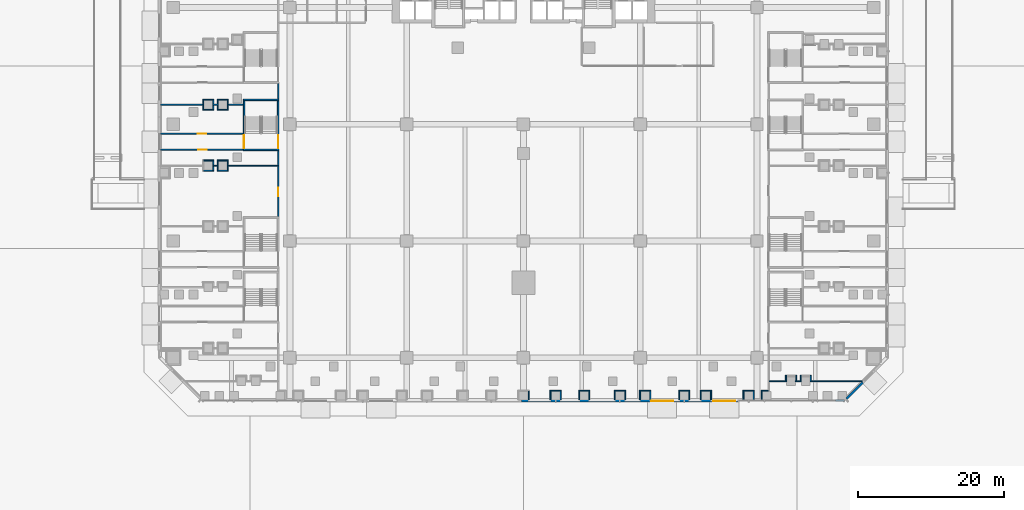
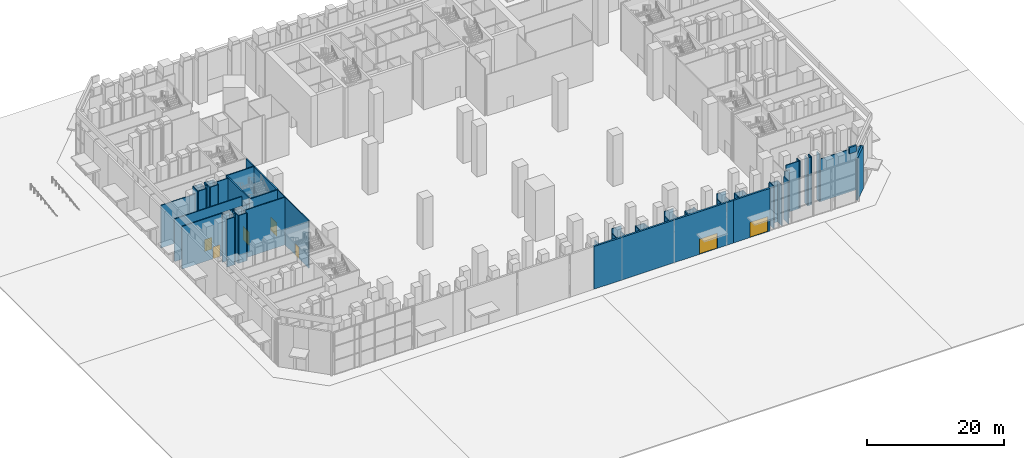
# One storey, part 20 of 51: 63 walls, 7 doors, 7 openings.
"""IFC4 building model written with IfcOpenShell, lengths in metres."""

from ifc_helpers import new_model, si_unit, direction, frame, frame_2d, origin, place, context, subcontext, project, spatial, rectangle, extrude, material, layer, layer_set, type_object, element, fill, save


model = new_model("IFC4")

# Units and contexts
model_context = context("Model", 3, precision=1e-05, world=origin(), true_north=direction((0.0, 1.0)))
body_context = subcontext(model_context, "Body", "Model", "MODEL_VIEW")
ifc_project = project(units=[si_unit("LENGTHUNIT", "METRE"), si_unit("AREAUNIT", "SQUARE_METRE"), si_unit("VOLUMEUNIT", "CUBIC_METRE"), si_unit("PLANEANGLEUNIT", "RADIAN"), si_unit("MASSUNIT", "GRAM", prefix="KILO")], contexts=[model_context])

# Site, building, storey
site_placement = place(None, origin())
site = spatial("IfcSite", under=ifc_project, at=site_placement, CompositionType="ELEMENT")
building_placement = place(site_placement, origin())
building = spatial("IfcBuilding", under=site, at=building_placement, Name="Calabash Gate Tower", CompositionType="ELEMENT")
storey_placement = place(building_placement, origin())
storey = spatial("IfcBuildingStorey", under=building, at=storey_placement, Name="L00", CompositionType="ELEMENT", Elevation=0.0)

# Walls
ifc_material_1 = material(Name="Gypsum board on steel studs, mineral wool", Category="steel")
ifc_layer_1 = layer(ifc_material_1, 0.14990234375)
ifc_layer_set_1 = layer_set([ifc_layer_1], Name="Partition 150 gypsum board")
wall_type_1 = type_object("IfcWallType", Name="Partition 150 gypsum board", PredefinedType="PARTITIONING", material=ifc_layer_set_1)
for number, where, z_axis, x_axis, name in (
    (1, (0.699951171875, -45.77001953125, 0.0), (0.0, 0.0, 1.0), (0.0, 1.0, 0.0), "Partition"),
    (2, (3.7080078125, -45.77001953125, 0.0), (0.0, 0.0, 1.0), (0.0, 1.0, 0.0), "Partition"),
    (3, (5.10791015625, -45.77001953125, 0.0), (0.0, 0.0, 1.0), (0.0, 1.0, 0.0), "Partition"),
    (4, (7.634033203125, -45.77001953125, 0.0), (0.0, 0.0, 1.0), (0.0, 1.0, 0.0), "Partition"),
    (5, (9.033935546875, -45.77001953125, 0.0), (0.0, 0.0, 1.0), (0.0, 1.0, 0.0), "Partition"),
    (6, (12.52294921875, -45.77001953125, 0.0), (0.0, 0.0, 1.0), (0.0, 1.0, 0.0), "Partition"),
    (7, (13.923095703125, -45.77001953125, 0.0), (0.0, 0.0, 1.0), (0.0, 1.0, 0.0), "Partition"),
):
    element("IfcWall", number, at=place(storey_placement, frame(where, z_axis=z_axis, x_axis=x_axis)), inside=storey, type_object=wall_type_1, Name=name, PredefinedType="PARTITIONING", context=body_context, shape_type="SweptSolid", body=[
        extrude(rectangle(XDim=1.195068359375, YDim=0.14990234375, at=frame_2d((0.59765625, 0.0))), origin(), (0.0, 0.0, 1.0), 7.60009765625),
    ])
wall_1_placement = place(storey_placement, frame((15.968017578125, -45.77001953125, 0.0), z_axis=(0.0, 0.0, 1.0), x_axis=(0.0, 1.0, 0.0)))
element("IfcWall", 8, at=wall_1_placement, inside=storey, type_object=wall_type_1, Name="Partition", PredefinedType="PARTITIONING", context=body_context, shape_type="SweptSolid", body=[
    extrude(rectangle(XDim=1.195068359375, YDim=0.14990234375, at=frame_2d((0.59765625, 0.0))), origin(), (0.0, 0.0, 1.0), 7.300048828125),
])
for number, where, z_axis, x_axis, name in (
    (9, (17.367919921875, -45.77001953125, 0.0), (0.0, 0.0, 1.0), (0.0, 1.0, 0.0), "Partition"),
    (10, (21.337890625, -45.77001953125, 0.0), (0.0, 0.0, 1.0), (0.0, 1.0, 0.0), "Partition"),
    (11, (22.738037109375, -45.77001953125, 0.0), (0.0, 0.0, 1.0), (0.0, 1.0, 0.0), "Partition"),
    (12, (24.301025390625, -45.77001953125, 0.0), (0.0, 0.0, 1.0), (0.0, 1.0, 0.0), "Partition"),
    (13, (25.700927734375, -45.77001953125, 0.0), (0.0, 0.0, 1.0), (0.0, 1.0, 0.0), "Partition"),
):
    element("IfcWall", number, at=place(storey_placement, frame(where, z_axis=z_axis, x_axis=x_axis)), inside=storey, type_object=wall_type_1, Name=name, PredefinedType="PARTITIONING", context=body_context, shape_type="SweptSolid", body=[
        extrude(rectangle(XDim=1.195068359375, YDim=0.14990234375, at=frame_2d((0.59765625, 0.0))), origin(), (0.0, 0.0, 1.0), 7.60009765625),
    ])
wall_2_placement = place(storey_placement, frame((30.153076171875, -45.820068359375, 0.0), z_axis=(0.0, 0.0, 1.0), x_axis=(0.0, 1.0, 0.0)))
element("IfcWall", 14, at=wall_2_placement, inside=storey, type_object=wall_type_1, Name="Partition", PredefinedType="PARTITIONING", context=body_context, shape_type="SweptSolid", body=[
    extrude(rectangle(XDim=1.2451171875, YDim=0.14990234375, at=frame_2d((0.62255859375, 0.0))), origin(), (0.0, 0.0, 1.0), 7.60009765625),
])
wall_3_placement = place(storey_placement, frame((31.552978515625, -45.820068359375, 0.0), z_axis=(0.0, 0.0, 1.0), x_axis=(0.0, 1.0, 0.0)))
element("IfcWall", 15, at=wall_3_placement, inside=storey, type_object=wall_type_1, Name="Partition", PredefinedType="PARTITIONING", context=body_context, shape_type="SweptSolid", body=[
    extrude(rectangle(XDim=1.2451171875, YDim=0.14990234375, at=frame_2d((0.62255859375, 0.0))), origin(), (0.0, 0.0, 1.0), 7.300048828125),
])
wall_4_placement = place(storey_placement, frame((32.635009765625, -45.820068359375, 0.0), z_axis=(0.0, 0.0, 1.0), x_axis=(0.0, 1.0, 0.0)))
element("IfcWall", 16, at=wall_4_placement, inside=storey, type_object=wall_type_1, Name="Partition", PredefinedType="PARTITIONING", context=body_context, shape_type="SweptSolid", body=[
    extrude(rectangle(XDim=1.39501953125, YDim=0.14990234375, at=frame_2d((0.697509765625, 0.0))), origin(), (0.0, 0.0, 1.0), 7.60009765625),
])
wall_5_placement = place(storey_placement, frame((3.633056640625, -44.5, 0.0), z_axis=(0.0, 0.0, 1.0), x_axis=(1.0, 0.0, 0.0)))
element("IfcWall", 17, at=wall_5_placement, inside=storey, type_object=wall_type_1, Name="Partition", PredefinedType="PARTITIONING", context=body_context, shape_type="SweptSolid", body=[
    extrude(rectangle(XDim=1.550048828125, YDim=0.14990234375, at=frame_2d((0.77490234375, 0.0))), origin(), (0.0, 0.0, 1.0), 8.5),
])
wall_6_placement = place(storey_placement, frame((7.55908203125, -44.5, 0.0), z_axis=(0.0, 0.0, 1.0), x_axis=(1.0, 0.0, 0.0)))
element("IfcWall", 18, at=wall_6_placement, inside=storey, type_object=wall_type_1, Name="Partition", PredefinedType="PARTITIONING", context=body_context, shape_type="SweptSolid", body=[
    extrude(rectangle(XDim=1.5498046875, YDim=0.14990234375, at=frame_2d((0.77490234375, 0.0))), origin(), (0.0, 0.0, 1.0), 7.60009765625),
])
wall_7_placement = place(storey_placement, frame((12.447998046875, -44.5, 0.0), z_axis=(0.0, 0.0, 1.0), x_axis=(1.0, 0.0, 0.0)))
element("IfcWall", 19, at=wall_7_placement, inside=storey, type_object=wall_type_1, Name="Partition", PredefinedType="PARTITIONING", context=body_context, shape_type="SweptSolid", body=[
    extrude(rectangle(XDim=1.550048828125, YDim=0.14990234375, at=frame_2d((0.77490234375, 0.0))), origin(), (0.0, 0.0, 1.0), 8.5),
])
wall_8_placement = place(storey_placement, frame((15.89306640625, -44.5, 0.0), z_axis=(0.0, 0.0, 1.0), x_axis=(1.0, 0.0, 0.0)))
element("IfcWall", 20, at=wall_8_placement, inside=storey, type_object=wall_type_1, Name="Partition", PredefinedType="PARTITIONING", context=body_context, shape_type="SweptSolid", body=[
    extrude(rectangle(XDim=1.550048828125, YDim=0.14990234375, at=frame_2d((0.77490234375, 0.0))), origin(), (0.0, 0.0, 1.0), 7.300048828125),
])
wall_9_placement = place(storey_placement, frame((21.262939453125, -44.5, 0.0), z_axis=(0.0, 0.0, 1.0), x_axis=(1.0, 0.0, 0.0)))
element("IfcWall", 21, at=wall_9_placement, inside=storey, type_object=wall_type_1, Name="Partition", PredefinedType="PARTITIONING", context=body_context, shape_type="SweptSolid", body=[
    extrude(rectangle(XDim=1.550048828125, YDim=0.14990234375, at=frame_2d((0.77490234375, 0.0))), origin(), (0.0, 0.0, 1.0), 8.5),
])
wall_10_placement = place(storey_placement, frame((24.22607421875, -44.5, 0.0), z_axis=(0.0, 0.0, 1.0), x_axis=(1.0, 0.0, 0.0)))
element("IfcWall", 22, at=wall_10_placement, inside=storey, type_object=wall_type_1, Name="Partition", PredefinedType="PARTITIONING", context=body_context, shape_type="SweptSolid", body=[
    extrude(rectangle(XDim=1.5498046875, YDim=0.14990234375, at=frame_2d((0.77490234375, 0.0))), origin(), (0.0, 0.0, 1.0), 7.60009765625),
])
wall_11_placement = place(storey_placement, frame((30.077880859375, -44.5, 0.0), z_axis=(0.0, 0.0, 1.0), x_axis=(1.0, 0.0, 0.0)))
element("IfcWall", 23, at=wall_11_placement, inside=storey, type_object=wall_type_1, Name="Partition", PredefinedType="PARTITIONING", context=body_context, shape_type="SweptSolid", body=[
    extrude(rectangle(XDim=1.550048828125, YDim=0.14990234375, at=frame_2d((0.77490234375, 0.0))), origin(), (0.0, 0.0, 1.0), 7.300048828125),
])
wall_12_placement = place(storey_placement, frame((32.7099609375, -44.5, 0.0), z_axis=(0.0, 0.0, 1.0), x_axis=(1.0, 0.0, 0.0)))
element("IfcWall", 24, at=wall_12_placement, inside=storey, type_object=wall_type_1, Name="Partition", PredefinedType="PARTITIONING", context=body_context, shape_type="SweptSolid", body=[
    extrude(rectangle(XDim=0.81494140625, YDim=0.14990234375, at=frame_2d((0.407470703125, 0.0))), origin(), (0.0, 0.0, 1.0), 8.5),
])
wall_13_placement = place(storey_placement, frame((33.675048828125, -43.199951171875, 0.0), z_axis=(0.0, 0.0, 1.0), x_axis=(1.0, 0.0, 0.0)))
element("IfcWall", 25, at=wall_13_placement, inside=storey, type_object=wall_type_1, Name="Partition", PredefinedType="PARTITIONING", context=body_context, shape_type="SweptSolid", body=[
    extrude(rectangle(XDim=2.39404296875, YDim=0.14990234375, at=frame_2d((1.197021484375, 0.0))), origin(), (0.0, 0.0, 1.0), 8.5),
])
wall_14_placement = place(storey_placement, frame((35.968994140625, -43.27490234375, 0.0), z_axis=(0.0, 0.0, 1.0), x_axis=(0.0, 1.0, 0.0)))
element("IfcWall", 26, at=wall_14_placement, inside=storey, type_object=wall_type_1, Name="Partition", PredefinedType="PARTITIONING", context=body_context, shape_type="SweptSolid", body=[
    extrude(rectangle(XDim=0.849853515625, YDim=0.14990234375, at=frame_2d((0.4248046875, 0.0))), origin(), (0.0, 0.0, 1.0), 8.5),
])
wall_15_placement = place(storey_placement, frame((37.26904296875, -43.199951171875, 0.0), z_axis=(0.0, 0.0, 1.0), x_axis=(1.0, 0.0, 0.0)))
element("IfcWall", 27, at=wall_15_placement, inside=storey, type_object=wall_type_1, Name="Partition", PredefinedType="PARTITIONING", context=body_context, shape_type="SweptSolid", body=[
    extrude(rectangle(XDim=0.800048828125, YDim=0.14990234375, at=frame_2d((0.39990234375, 0.0))), origin(), (0.0, 0.0, 1.0), 8.5),
])
for number, where, z_axis, x_axis, name in (
    (28, (37.368896484375, -43.27490234375, 0.0), (0.0, 0.0, 1.0), (0.0, 1.0, 0.0), "Partition"),
    (29, (37.968994140625, -43.27490234375, 0.0), (0.0, 0.0, 1.0), (0.0, 1.0, 0.0), "Partition"),
):
    element("IfcWall", number, at=place(storey_placement, frame(where, z_axis=z_axis, x_axis=x_axis)), inside=storey, type_object=wall_type_1, Name=name, PredefinedType="PARTITIONING", context=body_context, shape_type="SweptSolid", body=[
        extrude(rectangle(XDim=0.849853515625, YDim=0.14990234375, at=frame_2d((0.4248046875, 0.0))), origin(), (0.0, 0.0, 1.0), 8.5),
    ])
wall_16_placement = place(storey_placement, frame((39.26904296875, -43.199951171875, 0.0), z_axis=(0.0, 0.0, 1.0), x_axis=(1.0, 0.0, 0.0)))
element("IfcWall", 30, at=wall_16_placement, inside=storey, type_object=wall_type_1, Name="Partition", PredefinedType="PARTITIONING", context=body_context, shape_type="SweptSolid", body=[
    extrude(rectangle(XDim=7.126708984375, YDim=0.14990234375, at=frame_2d((3.5634765625, 0.0))), origin(), (0.0, 0.0, 1.0), 7.60009765625),
])
wall_17_placement = place(storey_placement, frame((39.368896484375, -43.27490234375, 0.0), z_axis=(0.0, 0.0, 1.0), x_axis=(0.0, 1.0, 0.0)))
element("IfcWall", 31, at=wall_17_placement, inside=storey, type_object=wall_type_1, Name="Partition", PredefinedType="PARTITIONING", context=body_context, shape_type="SweptSolid", body=[
    extrude(rectangle(XDim=0.849853515625, YDim=0.14990234375, at=frame_2d((0.4248046875, 0.0))), origin(), (0.0, 0.0, 1.0), 8.5),
])

# Wall, opening, door
wall_18_placement = place(storey_placement, frame((-33.60009765625, -20.610107421875, 0.0), z_axis=(0.0, 0.0, 1.0), x_axis=(0.0, 1.0, 0.0)))
wall_18 = element("IfcWall", 32, at=wall_18_placement, inside=storey, type_object=wall_type_1, Name="Partition", PredefinedType="PARTITIONING", context=body_context, shape_type="SweptSolid", body=[
    extrude(rectangle(XDim=8.97021484375, YDim=0.14990234375, at=frame_2d((4.485107421875, 0.0))), origin(), (0.0, 0.0, 1.0), 8.5),
])
opening_1_placement = place(wall_18_placement, frame((2.7109375, 0.0, 0.0)))
opening_1 = element("IfcOpeningElement", 33, at=opening_1_placement, cuts=wall_18, Name="Opening L00-089", PredefinedType="OPENING", context=body_context, shape_type="SweptSolid", body=[
    extrude(rectangle(XDim=1.199951171875, YDim=2.10009765625, at=frame_2d((0.60009765625, 1.050048828125))), frame((0.0, 0.0849609375, 0.0), z_axis=(0.0, -1.0, 0.0), x_axis=(1.0, 0.0, 0.0)), (0.0, 0.0, 1.0), 0.169921875),
])
ifc_material_2 = material(Name="Steel fire door set with fire-resisting glazing", Category="steel")
door_type_1 = type_object("IfcDoorType", Name="Fire door D09 1200x2100 FD60", OperationType="NOTDEFINED", PredefinedType="DOOR", material=ifc_material_2)
door_1_placement = place(opening_1_placement, origin())
door_1 = element("IfcDoor", 34, at=door_1_placement, inside=storey, type_object=door_type_1, Name="Shop 05 Newsagent door", OperationType="SINGLE_SWING_LEFT", OverallHeight=2.10009765625, OverallWidth=1.199951171875, PredefinedType="DOOR", context=body_context, shape_type="SweptSolid", body=[
    extrude(rectangle(XDim=1.199951171875, YDim=2.10009765625, at=frame_2d((0.60009765625, 1.050048828125))), frame((0.0, 0.02490234375, 0.0), z_axis=(0.0, -1.0, 0.0), x_axis=(1.0, 0.0, 0.0)), (0.0, 0.0, 1.0), 0.050048828125),
])
fill(opening_1, door_1)

# Walls
wall_19_placement = place(storey_placement, frame((-43.824951171875, -14.366943359375, 0.0), z_axis=(0.0, 0.0, 1.0), x_axis=(1.0, 0.0, 0.0)))
element("IfcWall", 35, at=wall_19_placement, inside=storey, type_object=wall_type_1, Name="Partition", PredefinedType="PARTITIONING", context=body_context, shape_type="SweptSolid", body=[
    extrude(rectangle(XDim=1.25, YDim=0.14990234375, at=frame_2d((0.625, 0.0))), origin(), (0.0, 0.0, 1.0), 8.5),
])
for number, where, z_axis, x_axis, name in (
    (36, (-42.5, -14.44189453125, 0.0), (0.0, 0.0, 1.0), (0.0, 1.0, 0.0), "Partition"),
    (37, (-41.89990234375, -14.44189453125, 0.0), (0.0, 0.0, 1.0), (0.0, 1.0, 0.0), "Partition"),
):
    element("IfcWall", number, at=place(storey_placement, frame(where, z_axis=z_axis, x_axis=x_axis)), inside=storey, type_object=wall_type_1, Name=name, PredefinedType="PARTITIONING", context=body_context, shape_type="SweptSolid", body=[
        extrude(rectangle(XDim=1.5498046875, YDim=0.14990234375, at=frame_2d((0.77490234375, 0.0))), origin(), (0.0, 0.0, 1.0), 8.5),
    ])
wall_20_placement = place(storey_placement, frame((-41.824951171875, -14.366943359375, 0.0), z_axis=(0.0, 0.0, 1.0), x_axis=(1.0, 0.0, 0.0)))
element("IfcWall", 38, at=wall_20_placement, inside=storey, type_object=wall_type_1, Name="Partition", PredefinedType="PARTITIONING", context=body_context, shape_type="SweptSolid", body=[
    extrude(rectangle(XDim=1.25, YDim=0.14990234375, at=frame_2d((0.625, 0.0))), origin(), (0.0, 0.0, 1.0), 8.5),
])
wall_21_placement = place(storey_placement, frame((-40.5, -14.44189453125, 0.0), z_axis=(0.0, 0.0, 1.0), x_axis=(0.0, 1.0, 0.0)))
element("IfcWall", 39, at=wall_21_placement, inside=storey, type_object=wall_type_1, Name="Partition", PredefinedType="PARTITIONING", context=body_context, shape_type="SweptSolid", body=[
    extrude(rectangle(XDim=1.5498046875, YDim=0.14990234375, at=frame_2d((0.77490234375, 0.0))), origin(), (0.0, 0.0, 1.0), 8.5),
])
wall_22_placement = place(storey_placement, frame((-42.60009765625, -13.669921875, 0.0), z_axis=(0.0, 0.0, 1.0), x_axis=(1.0, 0.0, 0.0)))
element("IfcWall", 40, at=wall_22_placement, inside=storey, type_object=wall_type_1, Name="Partition", PredefinedType="PARTITIONING", context=body_context, shape_type="SweptSolid", body=[
    extrude(rectangle(XDim=0.800048828125, YDim=0.14990234375, at=frame_2d((0.39990234375, 0.0))), origin(), (0.0, 0.0, 1.0), 8.5),
])
wall_23_placement = place(storey_placement, frame((-40.60009765625, -13.669921875, 0.0), z_axis=(0.0, 0.0, 1.0), x_axis=(1.0, 0.0, 0.0)))
element("IfcWall", 41, at=wall_23_placement, inside=storey, type_object=wall_type_1, Name="Partition", PredefinedType="PARTITIONING", context=body_context, shape_type="SweptSolid", body=[
    extrude(rectangle(XDim=6.925048828125, YDim=0.14990234375, at=frame_2d((3.46240234375, 0.0))), origin(), (0.0, 0.0, 1.0), 8.5),
])
for number, where, z_axis, x_axis, name in (
    (42, (-43.824951171875, -12.967041015625, 0.0), (0.0, 0.0, 1.0), (1.0, 0.0, 0.0), "Partition"),
    (43, (-41.824951171875, -12.967041015625, 0.0), (0.0, 0.0, 1.0), (1.0, 0.0, 0.0), "Partition"),
):
    element("IfcWall", number, at=place(storey_placement, frame(where, z_axis=z_axis, x_axis=x_axis)), inside=storey, type_object=wall_type_1, Name=name, PredefinedType="PARTITIONING", context=body_context, shape_type="SweptSolid", body=[
        extrude(rectangle(XDim=1.25, YDim=0.14990234375, at=frame_2d((0.625, 0.0))), origin(), (0.0, 0.0, 1.0), 8.5),
    ])

# Wall, opening, door
wall_24_placement = place(storey_placement, frame((-49.719970703125, -11.50048828125, 0.0), z_axis=(0.0, 0.0, 1.0), x_axis=(1.0, 0.0, 0.0)))
wall_24 = element("IfcWall", 44, at=wall_24_placement, inside=storey, type_object=wall_type_1, Name="Partition", PredefinedType="PARTITIONING", context=body_context, shape_type="SweptSolid", body=[
    extrude(rectangle(XDim=11.31005859375, YDim=0.15087890625, at=frame_2d((5.655029296875, 0.0))), origin(), (0.0, 0.0, 1.0), 7.60009765625),
])
opening_2_placement = place(wall_24_placement, frame((5.15478515625, 0.0, 0.0)))
opening_2 = element("IfcOpeningElement", 45, at=opening_2_placement, cuts=wall_24, Name="Opening L00-090", PredefinedType="OPENING", context=body_context, shape_type="SweptSolid", body=[
    extrude(rectangle(XDim=1.199951171875, YDim=2.10009765625, at=frame_2d((0.60009765625, 1.050048828125))), frame((0.0, 0.08544921875, 0.0), z_axis=(0.0, -1.0, 0.0), x_axis=(1.0, 0.0, 0.0)), (0.0, 0.0, 1.0), 0.1708984375),
])
door_2_placement = place(opening_2_placement, origin())
door_2 = element("IfcDoor", 46, at=door_2_placement, inside=storey, type_object=door_type_1, Name="Shop 06 door", OperationType="SINGLE_SWING_RIGHT", OverallHeight=2.10009765625, OverallWidth=1.199951171875, PredefinedType="DOOR", context=body_context, shape_type="SweptSolid", body=[
    extrude(rectangle(XDim=1.199951171875, YDim=2.10009765625, at=frame_2d((0.60009765625, 1.050048828125))), frame((0.0, 0.02490234375, 0.0), z_axis=(0.0, -1.0, 0.0), x_axis=(1.0, 0.0, 0.0)), (0.0, 0.0, 1.0), 0.050048828125),
])
fill(opening_2, door_2)

wall_25_placement = place(storey_placement, frame((-49.719970703125, -9.299560546875, 0.0), z_axis=(0.0, 0.0, 1.0), x_axis=(1.0, 0.0, 0.0)))
wall_25 = element("IfcWall", 47, at=wall_25_placement, inside=storey, type_object=wall_type_1, Name="Partition", PredefinedType="PARTITIONING", context=body_context, shape_type="SweptSolid", body=[
    extrude(rectangle(XDim=11.31005859375, YDim=0.15087890625, at=frame_2d((5.655029296875, 0.0))), origin(), (0.0, 0.0, 1.0), 7.60009765625),
])
opening_3_placement = place(wall_25_placement, frame((5.070068359375, 0.0, 0.0)))
opening_3 = element("IfcOpeningElement", 48, at=opening_3_placement, cuts=wall_25, Name="Opening L00-091", PredefinedType="OPENING", context=body_context, shape_type="SweptSolid", body=[
    extrude(rectangle(XDim=1.199951171875, YDim=2.10009765625, at=frame_2d((0.60009765625, 1.050048828125))), frame((0.0, 0.08544921875, 0.0), z_axis=(0.0, -1.0, 0.0), x_axis=(1.0, 0.0, 0.0)), (0.0, 0.0, 1.0), 0.1708984375),
])
ifc_material_3 = material(Name="Painted timber door", Category="wood")
door_type_2 = type_object("IfcDoorType", Name="Door D19 1200x2100", OperationType="NOTDEFINED", PredefinedType="DOOR", material=ifc_material_3)
door_3_placement = place(opening_3_placement, origin())
door_3 = element("IfcDoor", 49, at=door_3_placement, inside=storey, type_object=door_type_2, Name="Shop 06 door", OperationType="SINGLE_SWING_LEFT", OverallHeight=2.10009765625, OverallWidth=1.199951171875, PredefinedType="DOOR", context=body_context, shape_type="SweptSolid", body=[
    extrude(rectangle(XDim=1.199951171875, YDim=2.10009765625, at=frame_2d((0.60009765625, 1.050048828125))), frame((0.0, 0.02490234375, 0.0), z_axis=(0.0, -1.0, 0.0), x_axis=(1.0, 0.0, 0.0)), (0.0, 0.0, 1.0), 0.050048828125),
])
fill(opening_3, door_3)

# Walls
wall_26_placement = place(storey_placement, frame((-43.89990234375, -6.10791015625, 0.0), z_axis=(0.0, 0.0, 1.0), x_axis=(0.0, 1.0, 0.0)))
element("IfcWall", 50, at=wall_26_placement, inside=storey, type_object=wall_type_1, Name="Partition", PredefinedType="PARTITIONING", context=body_context, shape_type="SweptSolid", body=[
    extrude(rectangle(XDim=1.5498046875, YDim=0.14990234375, at=frame_2d((0.77490234375, 0.0))), origin(), (0.0, 0.0, 1.0), 8.5),
])
wall_27_placement = place(storey_placement, frame((-43.824951171875, -6.032958984375, 0.0), z_axis=(0.0, 0.0, 1.0), x_axis=(1.0, 0.0, 0.0)))
element("IfcWall", 51, at=wall_27_placement, inside=storey, type_object=wall_type_1, Name="Partition", PredefinedType="PARTITIONING", context=body_context, shape_type="SweptSolid", body=[
    extrude(rectangle(XDim=1.25, YDim=0.14990234375, at=frame_2d((0.625, 0.0))), origin(), (0.0, 0.0, 1.0), 8.5),
])
for number, where, z_axis, x_axis, name in (
    (52, (-42.5, -6.10791015625, 0.0), (0.0, 0.0, 1.0), (0.0, 1.0, 0.0), "Partition"),
    (53, (-41.89990234375, -6.10791015625, 0.0), (0.0, 0.0, 1.0), (0.0, 1.0, 0.0), "Partition"),
):
    element("IfcWall", number, at=place(storey_placement, frame(where, z_axis=z_axis, x_axis=x_axis)), inside=storey, type_object=wall_type_1, Name=name, PredefinedType="PARTITIONING", context=body_context, shape_type="SweptSolid", body=[
        extrude(rectangle(XDim=1.5498046875, YDim=0.14990234375, at=frame_2d((0.77490234375, 0.0))), origin(), (0.0, 0.0, 1.0), 8.5),
    ])
wall_28_placement = place(storey_placement, frame((-41.824951171875, -6.032958984375, 0.0), z_axis=(0.0, 0.0, 1.0), x_axis=(1.0, 0.0, 0.0)))
element("IfcWall", 54, at=wall_28_placement, inside=storey, type_object=wall_type_1, Name="Partition", PredefinedType="PARTITIONING", context=body_context, shape_type="SweptSolid", body=[
    extrude(rectangle(XDim=1.25, YDim=0.14990234375, at=frame_2d((0.625, 0.0))), origin(), (0.0, 0.0, 1.0), 8.5),
])
wall_29_placement = place(storey_placement, frame((-40.5, -6.10791015625, 0.0), z_axis=(0.0, 0.0, 1.0), x_axis=(0.0, 1.0, 0.0)))
element("IfcWall", 55, at=wall_29_placement, inside=storey, type_object=wall_type_1, Name="Partition", PredefinedType="PARTITIONING", context=body_context, shape_type="SweptSolid", body=[
    extrude(rectangle(XDim=1.5498046875, YDim=0.14990234375, at=frame_2d((0.77490234375, 0.0))), origin(), (0.0, 0.0, 1.0), 8.5),
])
wall_30_placement = place(storey_placement, frame((-49.719970703125, -5.330078125, 0.0), z_axis=(0.0, 0.0, 1.0), x_axis=(1.0, 0.0, 0.0)))
element("IfcWall", 56, at=wall_30_placement, inside=storey, type_object=wall_type_1, Name="Partition", PredefinedType="PARTITIONING", context=body_context, shape_type="SweptSolid", body=[
    extrude(rectangle(XDim=5.919921875, YDim=0.14990234375, at=frame_2d((2.9599609375, 0.0))), origin(), (0.0, 0.0, 1.0), 7.60009765625),
])
wall_31_placement = place(storey_placement, frame((-42.60009765625, -5.330078125, 0.0), z_axis=(0.0, 0.0, 1.0), x_axis=(1.0, 0.0, 0.0)))
element("IfcWall", 57, at=wall_31_placement, inside=storey, type_object=wall_type_1, Name="Partition", PredefinedType="PARTITIONING", context=body_context, shape_type="SweptSolid", body=[
    extrude(rectangle(XDim=0.800048828125, YDim=0.14990234375, at=frame_2d((0.39990234375, 0.0))), origin(), (0.0, 0.0, 1.0), 8.5),
])
wall_32_placement = place(storey_placement, frame((-40.60009765625, -5.330078125, 0.0), z_axis=(0.0, 0.0, 1.0), x_axis=(1.0, 0.0, 0.0)))
element("IfcWall", 58, at=wall_32_placement, inside=storey, type_object=wall_type_1, Name="Partition", PredefinedType="PARTITIONING", context=body_context, shape_type="SweptSolid", body=[
    extrude(rectangle(XDim=2.190185546875, YDim=0.14990234375, at=frame_2d((1.09521484375, 0.0))), origin(), (0.0, 0.0, 1.0), 8.5),
])
for number, where, z_axis, x_axis, name in (
    (59, (-43.824951171875, -4.633056640625, 0.0), (0.0, 0.0, 1.0), (1.0, 0.0, 0.0), "Partition"),
    (60, (-41.824951171875, -4.633056640625, 0.0), (0.0, 0.0, 1.0), (1.0, 0.0, 0.0), "Partition"),
):
    element("IfcWall", number, at=place(storey_placement, frame(where, z_axis=z_axis, x_axis=x_axis)), inside=storey, type_object=wall_type_1, Name=name, PredefinedType="PARTITIONING", context=body_context, shape_type="SweptSolid", body=[
        extrude(rectangle(XDim=1.25, YDim=0.14990234375, at=frame_2d((0.625, 0.0))), origin(), (0.0, 0.0, 1.0), 8.5),
    ])
wall_33_placement = place(storey_placement, frame((-33.60009765625, -4.510009765625, 0.0), z_axis=(0.0, 0.0, 1.0), x_axis=(0.0, 1.0, 0.0)))
element("IfcWall", 61, at=wall_33_placement, inside=storey, type_object=wall_type_1, Name="Partition", PredefinedType="PARTITIONING", context=body_context, shape_type="SweptSolid", body=[
    extrude(rectangle(XDim=2.070068359375, YDim=0.14990234375, at=frame_2d((1.03515625, 0.0))), origin(), (0.0, 0.0, 1.0), 8.5),
])
ifc_material_4 = material(Name="Terracotta brick masonry, exposed face", Category="masonry")
ifc_layer_2 = layer(ifc_material_4, 0.300048828125)
ifc_layer_set_2 = layer_set([ifc_layer_2], Name="Podium brick wall 300")
wall_type_2 = type_object("IfcWallType", Name="Podium brick wall 300", PredefinedType="SOLIDWALL", material=ifc_layer_set_2)
wall_34_placement = place(storey_placement, frame((44.27099609375, -45.587646484375, 0.0), z_axis=(0.0, 0.0, 1.0), x_axis=(0.707067655068, 0.70714590514, 0.0)))
element("IfcWall", 62, at=wall_34_placement, inside=storey, type_object=wall_type_2, Name="Podium brick wall L00 1.0.0", PredefinedType="SOLIDWALL", context=body_context, shape_type="SweptSolid", body=[
    extrude(rectangle(XDim=3.1201171875, YDim=0.300048828125, at=frame_2d((1.56005859375, 0.0))), origin(), (0.0, 0.0, 1.0), 7.60009765625),
])

# Wall, opening, door
ifc_material_5 = material(Name="Aluminium framed entrance wall with insulated spandrel", Category="aluminium")
ifc_layer_3 = layer(ifc_material_5, 0.300048828125)
ifc_layer_set_3 = layer_set([ifc_layer_3], Name="Podium entrance wall 300")
wall_type_3 = type_object("IfcWallType", Name="Podium entrance wall 300", PredefinedType="ELEMENTEDWALL", material=ifc_layer_set_3)
wall_35_placement = place(storey_placement, frame((-0.24609375, -45.89990234375, 0.0), z_axis=(0.0, 0.0, 1.0), x_axis=(1.0, 0.0, 0.0)))
wall_35 = element("IfcWall", 63, at=wall_35_placement, inside=storey, type_object=wall_type_3, Name="Entrance door wall L00", PredefinedType="ELEMENTEDWALL", context=body_context, shape_type="SweptSolid", body=[
    extrude(rectangle(XDim=23.5, YDim=0.300048828125, at=frame_2d((11.75, 0.0))), origin(), (0.0, 0.0, 1.0), 7.60009765625),
])
opening_4_placement = place(wall_35_placement, frame((17.75, 0.0, 0.0)))
opening_4 = element("IfcOpeningElement", 64, at=opening_4_placement, cuts=wall_35, Name="Opening L00-003", PredefinedType="OPENING", context=body_context, shape_type="SweptSolid", body=[
    extrude(rectangle(XDim=3.0, YDim=2.699951171875, at=frame_2d((1.5, 1.35009765625))), frame((0.0, 0.159912109375, 0.0), z_axis=(0.0, -1.0, 0.0), x_axis=(1.0, 0.0, 0.0)), (0.0, 0.0, 1.0), 0.320068359375),
])
ifc_material_6 = material(Name="Anodised aluminium frame, bronze finish, impact-rated laminated clear glazing", Category="aluminium")
door_type_3 = type_object("IfcDoorType", Name="Podium door DE300 3000x2700", OperationType="DOUBLE_DOOR_SINGLE_SWING", PredefinedType="DOOR", material=ifc_material_6)
door_4_placement = place(opening_4_placement, origin())
door_4 = element("IfcDoor", 65, at=door_4_placement, inside=storey, type_object=door_type_3, Name="Entrance door L00", OperationType="DOUBLE_DOOR_SINGLE_SWING", OverallHeight=2.699951171875, OverallWidth=3.0, PredefinedType="DOOR", context=body_context, shape_type="SweptSolid", body=[
    extrude(rectangle(XDim=3.0, YDim=2.699951171875, at=frame_2d((1.5, 1.35009765625))), frame((0.0, 0.02490234375, 0.0), z_axis=(0.0, -1.0, 0.0), x_axis=(1.0, 0.0, 0.0)), (0.0, 0.0, 1.0), 0.050048828125),
])
fill(opening_4, door_4)

wall_36_placement = place(storey_placement, frame((23.25390625, -45.89990234375, 0.0), z_axis=(0.0, 0.0, 1.0), x_axis=(1.0, 0.0, 0.0)))
wall_36 = element("IfcWall", 66, at=wall_36_placement, inside=storey, type_object=wall_type_3, Name="Entrance door wall L00", PredefinedType="ELEMENTEDWALL", context=body_context, shape_type="SweptSolid", body=[
    extrude(rectangle(XDim=6.150146484375, YDim=0.300048828125, at=frame_2d((3.0751953125, 0.0))), origin(), (0.0, 0.0, 1.0), 7.60009765625),
])
opening_5_placement = place(wall_36_placement, frame((2.75, 0.0, 0.0)))
opening_5 = element("IfcOpeningElement", 67, at=opening_5_placement, cuts=wall_36, Name="Opening L00-004", PredefinedType="OPENING", context=body_context, shape_type="SweptSolid", body=[
    extrude(rectangle(XDim=3.0, YDim=2.699951171875, at=frame_2d((1.5, 1.35009765625))), frame((0.0, 0.159912109375, 0.0), z_axis=(0.0, -1.0, 0.0), x_axis=(1.0, 0.0, 0.0)), (0.0, 0.0, 1.0), 0.320068359375),
])
door_5_placement = place(opening_5_placement, origin())
door_5 = element("IfcDoor", 68, at=door_5_placement, inside=storey, type_object=door_type_3, Name="Entrance door L00", OperationType="DOUBLE_DOOR_SINGLE_SWING", OverallHeight=2.699951171875, OverallWidth=3.0, PredefinedType="DOOR", context=body_context, shape_type="SweptSolid", body=[
    extrude(rectangle(XDim=3.0, YDim=2.699951171875, at=frame_2d((1.5, 1.35009765625))), frame((0.0, 0.02490234375, 0.0), z_axis=(0.0, -1.0, 0.0), x_axis=(1.0, 0.0, 0.0)), (0.0, 0.0, 1.0), 0.050048828125),
])
fill(opening_5, door_5)

# Walls
ifc_material_7 = material(Name="Terracotta brick masonry, exposed face", Category="masonry")
ifc_layer_4 = layer(ifc_material_7, 0.300048828125)
ifc_layer_set_4 = layer_set([ifc_layer_4], Name="Podium parapet wall 300")
wall_type_4 = type_object("IfcWallType", Name="Podium parapet wall 300", PredefinedType="PARAPET", material=ifc_layer_set_4)
wall_37_placement = place(storey_placement, frame((42.75, -45.85009765625, 9.0), z_axis=(0.0, 0.0, 1.0), x_axis=(1.0, 0.0, 0.0)))
element("IfcWall", 69, at=wall_37_placement, inside=storey, type_object=wall_type_4, Name="Podium parapet L00 0.1.0", PredefinedType="PARAPET", context=body_context, shape_type="SweptSolid", body=[
    extrude(rectangle(XDim=1.25, YDim=0.300048828125, at=frame_2d((0.625, 0.0))), origin(), (0.0, 0.0, 1.0), 1.10009765625),
])
ifc_material_8 = material(Name="Concrete C40/50", Category="concrete")
ifc_layer_5 = layer(ifc_material_8, 0.199951171875)
ifc_layer_set_5 = layer_set([ifc_layer_5], Name="Stair wall 200 Concrete C40/50")
wall_type_5 = type_object("IfcWallType", Name="Stair wall 200 Concrete C40/50", PredefinedType="SOLIDWALL", material=ifc_layer_set_5)
for number, where, z_axis, x_axis, name in (
    (70, (-38.3701171875, -11.5, 0.0), (0.0, 0.0, 1.0), (1.0, 0.0, 0.0), "Stair wall"),
    (71, (-38.3701171875, -4.64990234375, 0.0), (0.0, 0.0, 1.0), (1.0, 0.0, 0.0), "Stair wall"),
):
    element("IfcWall", number, at=place(storey_placement, frame(where, z_axis=z_axis, x_axis=x_axis)), inside=storey, type_object=wall_type_5, Name=name, PredefinedType="SOLIDWALL", context=body_context, shape_type="SweptSolid", body=[
        extrude(rectangle(XDim=4.8701171875, YDim=0.199951171875, at=frame_2d((2.43505859375, 0.0))), origin(), (0.0, 0.0, 1.0), 8.5),
    ])

# Wall, opening, door
wall_38_placement = place(storey_placement, frame((-38.27001953125, -11.39990234375, 0.0), z_axis=(0.0, 0.0, 1.0), x_axis=(0.0, 1.0, 0.0)))
wall_38 = element("IfcWall", 72, at=wall_38_placement, inside=storey, type_object=wall_type_5, Name="Stair wall", PredefinedType="SOLIDWALL", context=body_context, shape_type="SweptSolid", body=[
    extrude(rectangle(XDim=6.64990234375, YDim=0.199951171875, at=frame_2d((3.324951171875, 0.0))), origin(), (0.0, 0.0, 1.0), 8.5),
])
opening_6_placement = place(wall_38_placement, frame((0.10009765625, 0.0, 0.0)))
opening_6 = element("IfcOpeningElement", 73, at=opening_6_placement, cuts=wall_38, Name="Opening L00-055", PredefinedType="OPENING", context=body_context, shape_type="SweptSolid", body=[
    extrude(rectangle(XDim=1.800048828125, YDim=2.39990234375, at=frame_2d((0.89990234375, 1.199951171875))), frame((0.0, 0.10986328125, 0.0), z_axis=(0.0, -1.0, 0.0), x_axis=(1.0, 0.0, 0.0)), (0.0, 0.0, 1.0), 0.219970703125),
])
ifc_material_9 = material(Name="Steel fire door set with fire-resisting glazing", Category="steel")
door_type_4 = type_object("IfcDoorType", Name="Double fire door D16 1800x2400 FD90", OperationType="DOUBLE_DOOR_SINGLE_SWING", PredefinedType="DOOR", material=ifc_material_9)
door_6_placement = place(opening_6_placement, origin())
door_6 = element("IfcDoor", 74, at=door_6_placement, inside=storey, type_object=door_type_4, Name="Exit stair door PS3", OperationType="DOUBLE_DOOR_SINGLE_SWING", OverallHeight=2.39990234375, OverallWidth=1.800048828125, PredefinedType="DOOR", context=body_context, shape_type="SweptSolid", body=[
    extrude(rectangle(XDim=1.800048828125, YDim=2.39990234375, at=frame_2d((0.89990234375, 1.199951171875))), frame((0.0, 0.02490234375, 0.0), z_axis=(0.0, -1.0, 0.0), x_axis=(1.0, 0.0, 0.0)), (0.0, 0.0, 1.0), 0.050048828125),
])
fill(opening_6, door_6)

wall_39_placement = place(storey_placement, frame((-33.60009765625, -11.39990234375, 0.0), z_axis=(0.0, 0.0, 1.0), x_axis=(0.0, 1.0, 0.0)))
wall_39 = element("IfcWall", 75, at=wall_39_placement, inside=storey, type_object=wall_type_5, Name="Stair wall", PredefinedType="SOLIDWALL", context=body_context, shape_type="SweptSolid", body=[
    extrude(rectangle(XDim=6.64990234375, YDim=0.199951171875, at=frame_2d((3.324951171875, 0.0))), origin(), (0.0, 0.0, 1.0), 8.5),
])
opening_7_placement = place(wall_39_placement, frame((0.10009765625, 0.0, 0.0)))
opening_7 = element("IfcOpeningElement", 76, at=opening_7_placement, cuts=wall_39, Name="Opening L00-054", PredefinedType="OPENING", context=body_context, shape_type="SweptSolid", body=[
    extrude(rectangle(XDim=1.800048828125, YDim=2.39990234375, at=frame_2d((0.89990234375, 1.199951171875))), frame((0.0, 0.10986328125, 0.0), z_axis=(0.0, -1.0, 0.0), x_axis=(1.0, 0.0, 0.0)), (0.0, 0.0, 1.0), 0.219970703125),
])
door_7_placement = place(opening_7_placement, origin())
door_7 = element("IfcDoor", 77, at=door_7_placement, inside=storey, type_object=door_type_4, Name="Exit stair door PS3", OperationType="DOUBLE_DOOR_SINGLE_SWING", OverallHeight=2.39990234375, OverallWidth=1.800048828125, PredefinedType="DOOR", context=body_context, shape_type="SweptSolid", body=[
    extrude(rectangle(XDim=1.800048828125, YDim=2.39990234375, at=frame_2d((0.89990234375, 1.199951171875))), frame((0.0, 0.02490234375, 0.0), z_axis=(0.0, -1.0, 0.0), x_axis=(1.0, 0.0, 0.0)), (0.0, 0.0, 1.0), 0.050048828125),
])
fill(opening_7, door_7)

save(model, "model.ifc")
